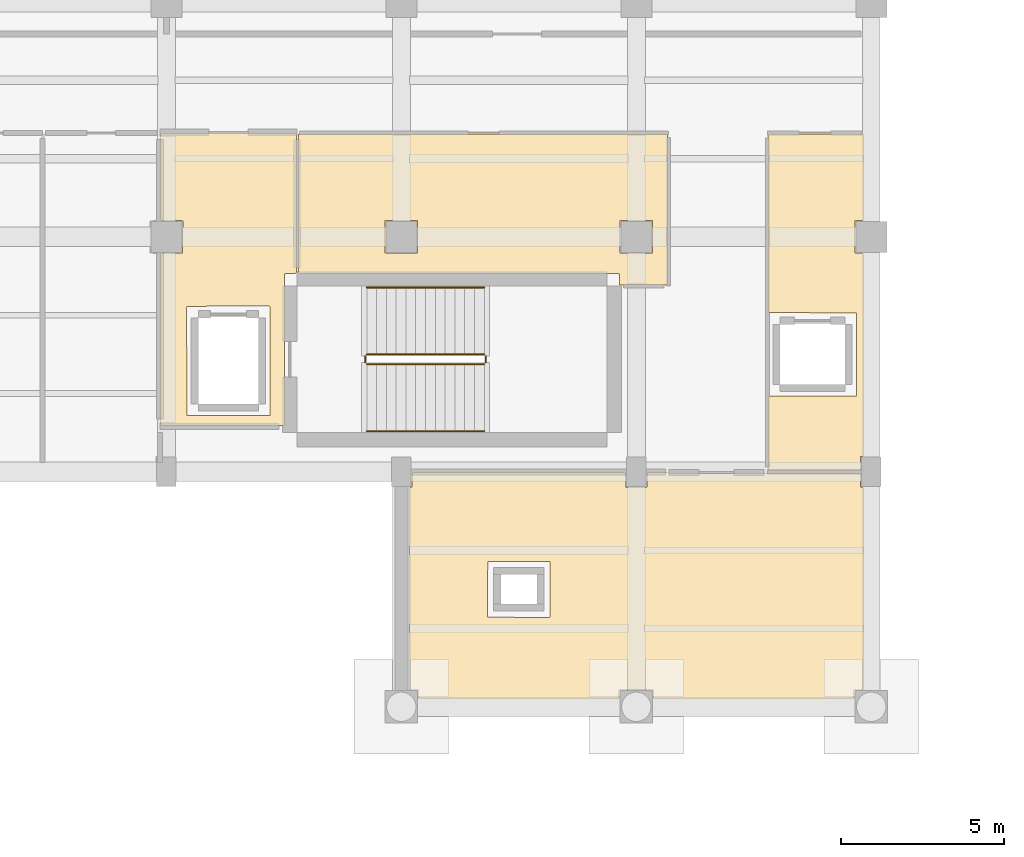
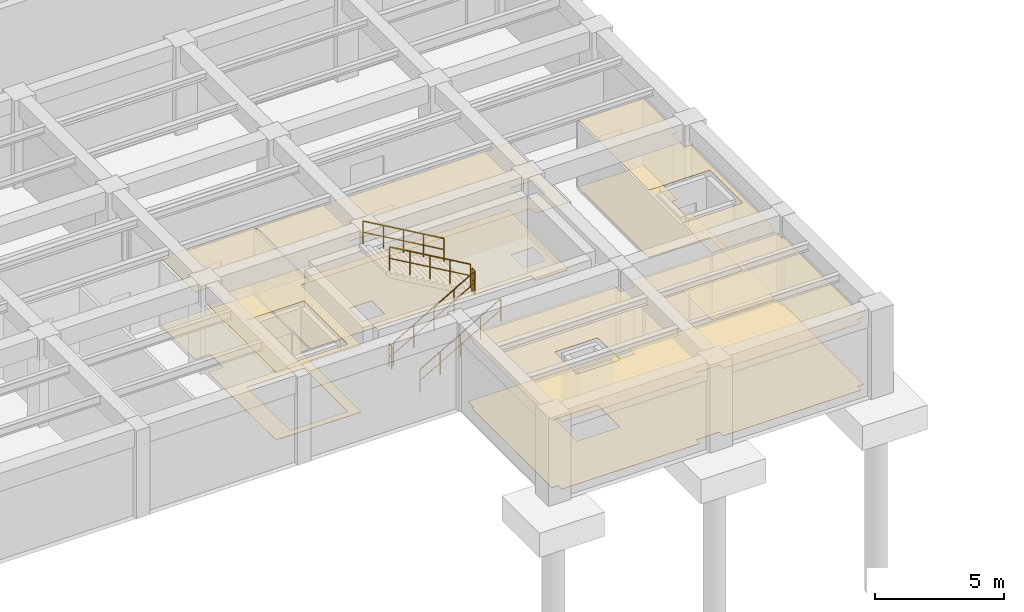
# One storey, part 33 of 34: 8 coverings, 6 railings.
"""IFC4 building model written with IfcOpenShell, lengths in metres."""

from ifc_helpers import new_model, si_unit, direction, frame, origin, origin_2d, place, context, subcontext, project, spatial, polyline, circle, outline, extrude, material, layer, layer_set, type_object, element, save


model = new_model("IFC4")

# Units and contexts
model_context = context("Model", 3, precision=1e-05, world=origin(), true_north=direction((0.0, 1.0)))
body_context = subcontext(model_context, "Body", "Model", "MODEL_VIEW")
ifc_project = project(units=[si_unit("LENGTHUNIT", "METRE"), si_unit("AREAUNIT", "SQUARE_METRE"), si_unit("VOLUMEUNIT", "CUBIC_METRE"), si_unit("PLANEANGLEUNIT", "RADIAN"), si_unit("MASSUNIT", "GRAM", prefix="KILO")], contexts=[model_context])

# Site, building, storey
site_placement = place(None, origin())
site = spatial("IfcSite", under=ifc_project, at=site_placement, CompositionType="ELEMENT")
building_placement = place(site_placement, origin())
building = spatial("IfcBuilding", under=site, at=building_placement, Name="Solenvale Faculty of Natural Sciences", CompositionType="ELEMENT")
storey_placement = place(building_placement, frame((0.0, 0.0, -4.5)))
storey = spatial("IfcBuildingStorey", under=building, at=storey_placement, Name="B01", CompositionType="ELEMENT", Elevation=-4.5)

# Coverings
ifc_material_1 = material(Name="Acoustic mineral-timber ceiling", Category="wood")
ifc_layer_1 = layer(ifc_material_1, 0.02490234375)
ifc_layer_set_1 = layer_set([ifc_layer_1], Name="Acoustic mineral-timber ceiling")
covering_type_1 = type_object("IfcCoveringType", Name="COV-CEIL-AC25", PredefinedType="CEILING", material=ifc_layer_set_1)
covering_1_placement = place(storey_placement, frame((0.0, 0.0, 3.1650390625)))
element("IfcCovering", 1, at=covering_1_placement, inside=storey, type_object=covering_type_1, Name="B01 Firefighting Lobby C5 Acoustic Ceiling", PredefinedType="CEILING", context=body_context, shape_type="SweptSolid", body=[
    extrude(outline(polyline([(133.580078125, 99.7099609375), (133.555908203125, 99.680908203125), (133.248046875, 99.679931640625), (133.219970703125, 99.652099609375), (133.212890625, 95.031005859375), (133.18994140625, 95.02001953125), (129.430908203125, 95.027099609375), (129.419921875, 95.050048828125), (129.419921875, 100.27294921875), (129.449951171875, 100.300048828125), (130.097900390625, 100.303955078125), (130.10009765625, 101.2890625), (130.089111328125, 101.300048828125), (129.447021484375, 101.300048828125), (129.4208984375, 101.323974609375), (129.419921875, 103.949951171875), (129.428955078125, 103.970947265625), (129.449951171875, 103.97998046875), (133.550048828125, 103.97998046875), (133.571044921875, 103.970947265625), (133.580078125, 103.949951171875), (133.580078125, 99.7099609375)]), holes=[polyline([(132.751953125, 95.320068359375), (132.77197265625, 95.330078125), (132.780029296875, 95.35009765625), (132.77392578125, 98.66796875), (132.75, 98.679931640625), (130.23193359375, 98.674072265625), (130.219970703125, 98.64990234375), (130.22607421875, 95.33203125), (130.25, 95.320068359375), (132.751953125, 95.320068359375)])]), origin(), (0.0, 0.0, 1.0), 0.02490234375),
])
covering_2_placement = place(storey_placement, frame((0.0, 0.0, 3.1650390625)))
element("IfcCovering", 2, at=covering_2_placement, inside=storey, type_object=covering_type_1, Name="B01 Building Electrical and Telecom Closet Acoustic Ceiling", PredefinedType="CEILING", context=body_context, shape_type="SweptSolid", body=[
    extrude(outline(polyline([(144.929931640625, 103.9599609375), (144.950927734375, 103.950927734375), (144.9599609375, 103.929931640625), (144.9599609375, 99.35009765625), (144.94091796875, 99.322021484375), (143.50390625, 99.321044921875), (143.47998046875, 99.346923828125), (143.47998046875, 99.654052734375), (143.450927734375, 99.679931640625), (133.669921875, 99.679931640625), (133.64208984375, 99.698974609375), (133.639892578125, 103.929931640625), (133.658935546875, 103.9580078125), (144.929931640625, 103.9599609375)]), holes=[polyline([(144.5, 101.2890625), (144.489013671875, 101.300048828125), (143.5029296875, 101.297119140625), (143.5029296875, 100.302978515625), (144.4970703125, 100.302978515625), (144.5, 101.2890625)]), polyline([(137.300048828125, 101.2890625), (137.2890625, 101.300048828125), (136.302978515625, 101.297119140625), (136.302978515625, 100.302978515625), (137.297119140625, 100.302978515625), (137.300048828125, 101.2890625)])]), origin(), (0.0, 0.0, 1.0), 0.02490234375),
])
covering_3_placement = place(storey_placement, frame((0.0, 0.0, 3.1650390625)))
element("IfcCovering", 3, at=covering_3_placement, inside=storey, type_object=covering_type_1, Name="B01 Elevator Lobby Acoustic Ceiling", PredefinedType="CEILING", context=body_context, shape_type="SweptSolid", body=[
    extrude(outline(polyline([(148.0400390625, 95.889892578125), (148.049072265625, 95.910888671875), (148.070068359375, 95.919921875), (150.72509765625, 95.919921875), (150.7470703125, 95.929931640625), (150.7548828125, 95.949951171875), (150.7548828125, 98.449951171875), (150.7451171875, 98.471923828125), (148.070068359375, 98.47998046875), (148.041015625, 98.5009765625), (148.0419921875, 103.94091796875), (148.070068359375, 103.9599609375), (150.94091796875, 103.9580078125), (150.9599609375, 103.929931640625), (150.9599609375, 101.326904296875), (150.93310546875, 101.300048828125), (150.7109375, 101.300048828125), (150.699951171875, 101.2890625), (150.699951171875, 100.306884765625), (150.93310546875, 100.300048828125), (150.9599609375, 100.27001953125), (150.9599609375, 94.10498046875), (150.94091796875, 94.076904296875), (150.875, 94.06689453125), (150.867919921875, 93.631103515625), (150.844970703125, 93.6201171875), (148.051025390625, 93.626953125), (148.0400390625, 93.64990234375), (148.0400390625, 95.889892578125)])), origin(), (0.0, 0.0, 1.0), 0.02490234375),
])
covering_4_placement = place(storey_placement, frame((0.0, 0.0, 3.1650390625)))
element("IfcCovering", 4, at=covering_4_placement, inside=storey, type_object=covering_type_1, Name="B01 Seminar Room Acoustic Ceiling", PredefinedType="CEILING", context=body_context, shape_type="SweptSolid", body=[
    extrude(outline(polyline([(144.950927734375, 93.580078125), (145.0, 93.56005859375), (150.844970703125, 93.56005859375), (150.867919921875, 93.549072265625), (150.875, 93.133056640625), (150.94091796875, 93.123046875), (150.9599609375, 93.094970703125), (150.9599609375, 86.955078125), (150.93310546875, 86.925048828125), (150.677978515625, 86.922119140625), (150.675048828125, 86.6669921875), (150.6640625, 86.64697265625), (144.554931640625, 86.639892578125), (144.52490234375, 86.6669921875), (144.51806640625, 86.925048828125), (143.486083984375, 86.925048828125), (143.47509765625, 86.9140625), (143.47509765625, 86.6669921875), (143.445068359375, 86.639892578125), (137.35498046875, 86.639892578125), (137.324951171875, 86.6669921875), (137.322021484375, 86.922119140625), (137.06689453125, 86.925048828125), (137.047119140625, 86.93603515625), (137.0400390625, 93.094970703125), (137.05908203125, 93.123046875), (137.125, 93.133056640625), (137.125, 93.550048828125), (137.135986328125, 93.572998046875), (143.64794921875, 93.580078125), (143.675048828125, 93.552978515625), (143.678955078125, 93.126953125), (144.31396484375, 93.125), (144.324951171875, 93.135986328125), (144.324951171875, 93.552978515625), (144.337890625, 93.574951171875), (144.950927734375, 93.580078125)]), holes=[polyline([(141.33203125, 89.139892578125), (141.35205078125, 89.14990234375), (141.360107421875, 89.169921875), (141.360107421875, 90.830078125), (141.35009765625, 90.85205078125), (139.469970703125, 90.860107421875), (139.447998046875, 90.85009765625), (139.43994140625, 89.169921875), (139.449951171875, 89.14794921875), (141.33203125, 89.139892578125)])]), origin(), (0.0, 0.0, 1.0), 0.02490234375),
])
ifc_material_2 = material(Name="Polished slate terrazzo flooring", Category="masonry")
ifc_layer_2 = layer(ifc_material_2, 0.01806640625)
ifc_layer_set_2 = layer_set([ifc_layer_2], Name="Polished slate terrazzo flooring")
covering_type_2 = type_object("IfcCoveringType", Name="COV-FLR-TRZ18", PredefinedType="FLOORING", material=ifc_layer_set_2)
covering_5_placement = place(storey_placement, origin())
element("IfcCovering", 5, at=covering_5_placement, inside=storey, type_object=covering_type_2, Name="B01 Firefighting Lobby C5 Floor Finish", PredefinedType="FLOORING", context=body_context, shape_type="SweptSolid", body=[
    extrude(outline(polyline([(133.580078125, 99.7099609375), (133.555908203125, 99.680908203125), (133.248046875, 99.679931640625), (133.219970703125, 99.652099609375), (133.212890625, 95.031005859375), (133.18994140625, 95.02001953125), (129.430908203125, 95.027099609375), (129.419921875, 95.050048828125), (129.419921875, 100.27294921875), (129.449951171875, 100.300048828125), (130.097900390625, 100.303955078125), (130.10009765625, 101.2890625), (130.089111328125, 101.300048828125), (129.447021484375, 101.300048828125), (129.4208984375, 101.323974609375), (129.419921875, 103.949951171875), (129.428955078125, 103.970947265625), (129.449951171875, 103.97998046875), (133.550048828125, 103.97998046875), (133.571044921875, 103.970947265625), (133.580078125, 103.949951171875), (133.580078125, 99.7099609375)]), holes=[polyline([(132.751953125, 95.320068359375), (132.77197265625, 95.330078125), (132.780029296875, 95.35009765625), (132.77392578125, 98.66796875), (132.75, 98.679931640625), (130.23193359375, 98.674072265625), (130.219970703125, 98.64990234375), (130.22607421875, 95.33203125), (130.25, 95.320068359375), (132.751953125, 95.320068359375)])]), origin(), (0.0, 0.0, 1.0), 0.01806640625),
])
covering_6_placement = place(storey_placement, origin())
element("IfcCovering", 6, at=covering_6_placement, inside=storey, type_object=covering_type_2, Name="B01 Building Electrical and Telecom Closet Floor Finish", PredefinedType="FLOORING", context=body_context, shape_type="SweptSolid", body=[
    extrude(outline(polyline([(144.929931640625, 103.9599609375), (144.950927734375, 103.950927734375), (144.9599609375, 103.929931640625), (144.9599609375, 99.35009765625), (144.94091796875, 99.322021484375), (143.50390625, 99.321044921875), (143.47998046875, 99.346923828125), (143.47998046875, 99.654052734375), (143.450927734375, 99.679931640625), (133.669921875, 99.679931640625), (133.64208984375, 99.698974609375), (133.639892578125, 103.929931640625), (133.658935546875, 103.9580078125), (144.929931640625, 103.9599609375)]), holes=[polyline([(144.5, 101.2890625), (144.489013671875, 101.300048828125), (143.5029296875, 101.297119140625), (143.5029296875, 100.302978515625), (144.4970703125, 100.302978515625), (144.5, 101.2890625)]), polyline([(137.300048828125, 101.2890625), (137.2890625, 101.300048828125), (136.302978515625, 101.297119140625), (136.302978515625, 100.302978515625), (137.297119140625, 100.302978515625), (137.300048828125, 101.2890625)])]), origin(), (0.0, 0.0, 1.0), 0.01806640625),
])
covering_7_placement = place(storey_placement, origin())
element("IfcCovering", 7, at=covering_7_placement, inside=storey, type_object=covering_type_2, Name="B01 Elevator Lobby Floor Finish", PredefinedType="FLOORING", context=body_context, shape_type="SweptSolid", body=[
    extrude(outline(polyline([(148.0400390625, 95.889892578125), (148.049072265625, 95.910888671875), (148.070068359375, 95.919921875), (150.72509765625, 95.919921875), (150.7470703125, 95.929931640625), (150.7548828125, 95.949951171875), (150.7548828125, 98.449951171875), (150.7451171875, 98.471923828125), (148.070068359375, 98.47998046875), (148.041015625, 98.5009765625), (148.0419921875, 103.94091796875), (148.070068359375, 103.9599609375), (150.94091796875, 103.9580078125), (150.9599609375, 103.929931640625), (150.9599609375, 101.326904296875), (150.93310546875, 101.300048828125), (150.7109375, 101.300048828125), (150.699951171875, 101.2890625), (150.699951171875, 100.306884765625), (150.93310546875, 100.300048828125), (150.9599609375, 100.27001953125), (150.9599609375, 94.10498046875), (150.94091796875, 94.076904296875), (150.875, 94.06689453125), (150.867919921875, 93.631103515625), (150.844970703125, 93.6201171875), (148.051025390625, 93.626953125), (148.0400390625, 93.64990234375), (148.0400390625, 95.889892578125)])), origin(), (0.0, 0.0, 1.0), 0.01806640625),
])
covering_8_placement = place(storey_placement, origin())
element("IfcCovering", 8, at=covering_8_placement, inside=storey, type_object=covering_type_2, Name="B01 Seminar Room Floor Finish", PredefinedType="FLOORING", context=body_context, shape_type="SweptSolid", body=[
    extrude(outline(polyline([(144.950927734375, 93.580078125), (145.0, 93.56005859375), (150.844970703125, 93.56005859375), (150.867919921875, 93.549072265625), (150.875, 93.133056640625), (150.94091796875, 93.123046875), (150.9599609375, 93.094970703125), (150.9599609375, 86.955078125), (150.93310546875, 86.925048828125), (150.677978515625, 86.922119140625), (150.675048828125, 86.6669921875), (150.6640625, 86.64697265625), (144.554931640625, 86.639892578125), (144.52490234375, 86.6669921875), (144.51806640625, 86.925048828125), (143.486083984375, 86.925048828125), (143.47509765625, 86.9140625), (143.47509765625, 86.6669921875), (143.445068359375, 86.639892578125), (137.35498046875, 86.639892578125), (137.324951171875, 86.6669921875), (137.322021484375, 86.922119140625), (137.06689453125, 86.925048828125), (137.047119140625, 86.93603515625), (137.0400390625, 93.094970703125), (137.05908203125, 93.123046875), (137.125, 93.133056640625), (137.125, 93.550048828125), (137.135986328125, 93.572998046875), (143.64794921875, 93.580078125), (143.675048828125, 93.552978515625), (143.678955078125, 93.126953125), (144.31396484375, 93.125), (144.324951171875, 93.135986328125), (144.324951171875, 93.552978515625), (144.337890625, 93.574951171875), (144.950927734375, 93.580078125)]), holes=[polyline([(141.33203125, 89.139892578125), (141.35205078125, 89.14990234375), (141.360107421875, 89.169921875), (141.360107421875, 90.830078125), (141.35009765625, 90.85205078125), (139.469970703125, 90.860107421875), (139.447998046875, 90.85009765625), (139.43994140625, 89.169921875), (139.449951171875, 89.14794921875), (141.33203125, 89.139892578125)])]), origin(), (0.0, 0.0, 1.0), 0.01806640625),
])

# Railings
ifc_material_3 = material(Name="Stainless steel Grade 304", Category="steel")
railing_type_1 = type_object("IfcRailingType", Name="RL-GRD-1100", PredefinedType="GUARDRAIL", material=ifc_material_3)
railing_1_placement = place(storey_placement, frame((135.739990234375, 96.89990234375, 0.173095703125)))
element("IfcRailing", 9, at=railing_1_placement, inside=storey, type_object=railing_type_1, Name="B01 ST-05 stair guard 1", PredefinedType="GUARDRAIL", context=body_context, shape_type="SweptSolid", body=[
    extrude(circle(Radius=0.02392578125, at=origin_2d()), frame((0.0, 0.0, 1.09619140625), z_axis=(0.866193409371, 0.0, 0.499708892819), x_axis=(0.0, 1.0, 0.0)), (0.0, 0.0, 1.0), 4.15625),
    extrude(circle(Radius=0.01611328125, at=origin_2d()), frame((0.0, 0.0, 0.56005859375), z_axis=(0.866193409371, 0.0, 0.499708892819), x_axis=(0.0, 1.0, 0.0)), (0.0, 0.0, 1.0), 4.15625),
    extrude(circle(Radius=0.02099609375, at=origin_2d()), origin(), (0.0, 0.0, 1.0), 1.072021484375),
    extrude(circle(Radius=0.02099609375, at=origin_2d()), frame((0.89990234375, 0.0, 0.519287109375)), (0.0, 0.0, 1.0), 1.072021484375),
    extrude(circle(Radius=0.02099609375, at=origin_2d()), frame((1.800048828125, 0.0, 1.03857421875)), (0.0, 0.0, 1.0), 1.072021484375),
    extrude(circle(Radius=0.02099609375, at=origin_2d()), frame((2.7001953125, 0.0, 1.5576171875)), (0.0, 0.0, 1.0), 1.072021484375),
    extrude(circle(Radius=0.02099609375, at=origin_2d()), frame((3.60009765625, 0.0, 2.076904296875)), (0.0, 0.0, 1.0), 1.072021484375),
])
railing_2_placement = place(storey_placement, frame((139.389892578125, 96.949951171875, 2.25)))
element("IfcRailing", 10, at=railing_2_placement, inside=storey, type_object=railing_type_1, Name="B01 ST-05 stair guard 2", PredefinedType="GUARDRAIL", context=body_context, shape_type="SweptSolid", body=[
    extrude(circle(Radius=0.02392578125, at=origin_2d()), frame((0.0, 0.0, 1.09619140625), z_axis=(0.0, 1.0, 0.0), x_axis=(-1.0, 0.0, 0.0)), (0.0, 0.0, 1.0), 0.199951171875),
    extrude(circle(Radius=0.01611328125, at=origin_2d()), frame((0.0, 0.0, 0.56005859375), z_axis=(0.0, 1.0, 0.0), x_axis=(-1.0, 0.0, 0.0)), (0.0, 0.0, 1.0), 0.199951171875),
    extrude(circle(Radius=0.02099609375, at=origin_2d()), origin(), (0.0, 0.0, 1.0), 1.072021484375),
    extrude(circle(Radius=0.02099609375, at=origin_2d()), frame((0.0, 0.199951171875, 0.0)), (0.0, 0.0, 1.0), 1.072021484375),
])
railing_3_placement = place(storey_placement, frame((139.340087890625, 97.199951171875, 2.423095703125)))
element("IfcRailing", 11, at=railing_3_placement, inside=storey, type_object=railing_type_1, Name="B01 ST-05 stair guard 3", PredefinedType="GUARDRAIL", context=body_context, shape_type="SweptSolid", body=[
    extrude(circle(Radius=0.02392578125, at=origin_2d()), frame((0.0, 0.0, 1.09619140625), z_axis=(-0.866193409371, 0.0, 0.499708892819), x_axis=(0.0, -1.0, 0.0)), (0.0, 0.0, 1.0), 4.15625),
    extrude(circle(Radius=0.01611328125, at=origin_2d()), frame((0.0, 0.0, 0.56005859375), z_axis=(-0.866193409371, 0.0, 0.499708892819), x_axis=(0.0, -1.0, 0.0)), (0.0, 0.0, 1.0), 4.15625),
    extrude(circle(Radius=0.02099609375, at=origin_2d()), origin(), (0.0, 0.0, 1.0), 1.072021484375),
    extrude(circle(Radius=0.02099609375, at=origin_2d()), frame((-0.89990234375, 0.0, 0.519287109375)), (0.0, 0.0, 1.0), 1.072021484375),
    extrude(circle(Radius=0.02099609375, at=origin_2d()), frame((-1.800048828125, 0.0, 1.03857421875)), (0.0, 0.0, 1.0), 1.072021484375),
    extrude(circle(Radius=0.02099609375, at=origin_2d()), frame((-2.7001953125, 0.0, 1.5576171875)), (0.0, 0.0, 1.0), 1.072021484375),
    extrude(circle(Radius=0.02099609375, at=origin_2d()), frame((-3.60009765625, 0.0, 2.076904296875)), (0.0, 0.0, 1.0), 1.072021484375),
])
railing_4_placement = place(storey_placement, frame((135.68994140625, 96.949951171875, 0.0)))
element("IfcRailing", 12, at=railing_4_placement, inside=storey, type_object=railing_type_1, Name="B01 ST-05 stair guard 4", PredefinedType="GUARDRAIL", context=body_context, shape_type="SweptSolid", body=[
    extrude(circle(Radius=0.02392578125, at=origin_2d()), frame((0.0, 0.0, 1.09619140625), z_axis=(0.0, 1.0, 0.0), x_axis=(-1.0, 0.0, 0.0)), (0.0, 0.0, 1.0), 0.199951171875),
    extrude(circle(Radius=0.01611328125, at=origin_2d()), frame((0.0, 0.0, 0.56005859375), z_axis=(0.0, 1.0, 0.0), x_axis=(-1.0, 0.0, 0.0)), (0.0, 0.0, 1.0), 0.199951171875),
    extrude(circle(Radius=0.02099609375, at=origin_2d()), origin(), (0.0, 0.0, 1.0), 1.072021484375),
    extrude(circle(Radius=0.02099609375, at=origin_2d()), frame((0.0, 0.199951171875, 0.0)), (0.0, 0.0, 1.0), 1.072021484375),
])
railing_type_2 = type_object("IfcRailingType", Name="RL-HND-900", PredefinedType="HANDRAIL", material=ifc_material_3)
railing_5_placement = place(storey_placement, frame((135.739990234375, 94.85009765625, 0.173095703125)))
element("IfcRailing", 13, at=railing_5_placement, inside=storey, type_object=railing_type_2, Name="B01 ST-05 stair handrail 1", PredefinedType="HANDRAIL", context=body_context, shape_type="SweptSolid", body=[
    extrude(circle(Radius=0.02392578125, at=origin_2d()), frame((0.0, 0.0, 1.0732421875), z_axis=(0.866193409371, 0.0, 0.499708892819), x_axis=(0.0, 1.0, 0.0)), (0.0, 0.0, 1.0), 4.15625),
    extrude(circle(Radius=0.01611328125, at=origin_2d()), frame((0.0, 0.0, 0.548583984375), z_axis=(0.866193409371, 0.0, 0.499708892819), x_axis=(0.0, 1.0, 0.0)), (0.0, 0.0, 1.0), 4.15625),
    extrude(circle(Radius=0.02099609375, at=origin_2d()), origin(), (0.0, 0.0, 1.0), 1.049072265625),
    extrude(circle(Radius=0.02099609375, at=origin_2d()), frame((0.89990234375, 0.0, 0.519287109375)), (0.0, 0.0, 1.0), 1.049072265625),
    extrude(circle(Radius=0.02099609375, at=origin_2d()), frame((1.800048828125, 0.0, 1.03857421875)), (0.0, 0.0, 1.0), 1.049072265625),
    extrude(circle(Radius=0.02099609375, at=origin_2d()), frame((2.7001953125, 0.0, 1.5576171875)), (0.0, 0.0, 1.0), 1.049072265625),
    extrude(circle(Radius=0.02099609375, at=origin_2d()), frame((3.60009765625, 0.0, 2.076904296875)), (0.0, 0.0, 1.0), 1.049072265625),
])
railing_6_placement = place(storey_placement, frame((139.340087890625, 99.25, 2.423095703125)))
element("IfcRailing", 14, at=railing_6_placement, inside=storey, type_object=railing_type_2, Name="B01 ST-05 stair handrail 2", PredefinedType="HANDRAIL", context=body_context, shape_type="SweptSolid", body=[
    extrude(circle(Radius=0.02392578125, at=origin_2d()), frame((0.0, 0.0, 1.0732421875), z_axis=(-0.866193409371, 0.0, 0.499708892819), x_axis=(0.0, -1.0, 0.0)), (0.0, 0.0, 1.0), 4.15625),
    extrude(circle(Radius=0.01611328125, at=origin_2d()), frame((0.0, 0.0, 0.548583984375), z_axis=(-0.866193409371, 0.0, 0.499708892819), x_axis=(0.0, -1.0, 0.0)), (0.0, 0.0, 1.0), 4.15625),
    extrude(circle(Radius=0.02099609375, at=origin_2d()), origin(), (0.0, 0.0, 1.0), 1.049072265625),
    extrude(circle(Radius=0.02099609375, at=origin_2d()), frame((-0.89990234375, 0.0, 0.519287109375)), (0.0, 0.0, 1.0), 1.049072265625),
    extrude(circle(Radius=0.02099609375, at=origin_2d()), frame((-1.800048828125, 0.0, 1.03857421875)), (0.0, 0.0, 1.0), 1.049072265625),
    extrude(circle(Radius=0.02099609375, at=origin_2d()), frame((-2.7001953125, 0.0, 1.5576171875)), (0.0, 0.0, 1.0), 1.049072265625),
    extrude(circle(Radius=0.02099609375, at=origin_2d()), frame((-3.60009765625, 0.0, 2.076904296875)), (0.0, 0.0, 1.0), 1.049072265625),
])

save(model, "model.ifc")
